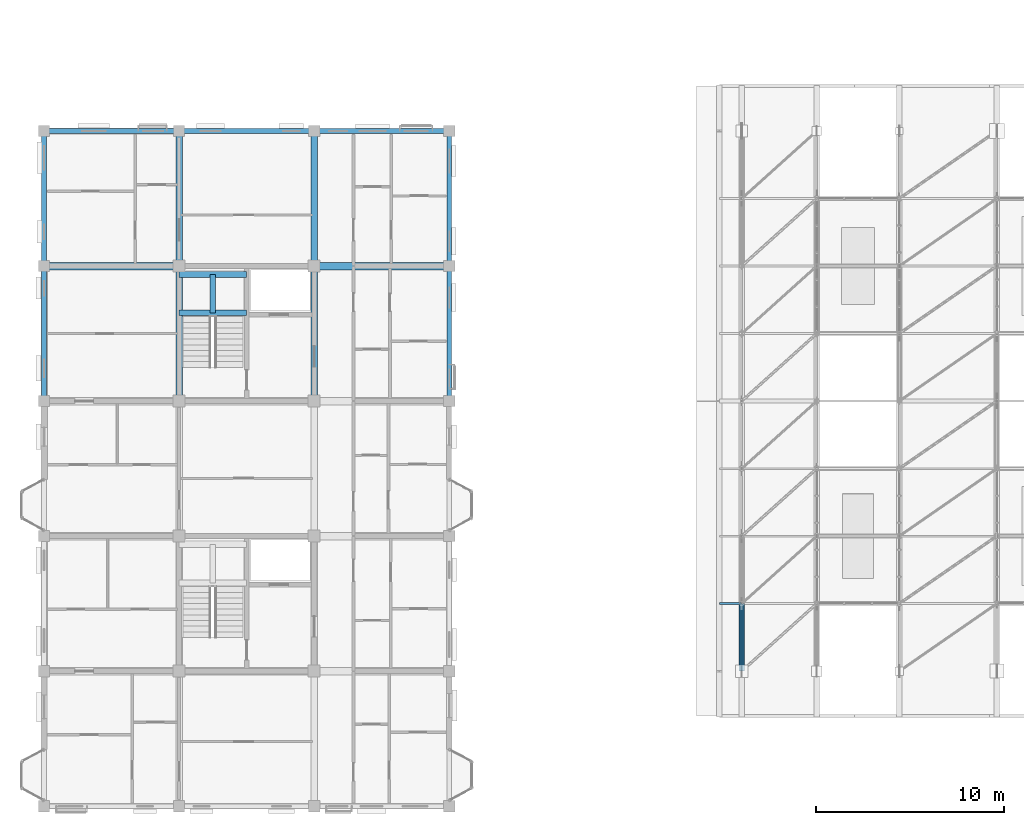
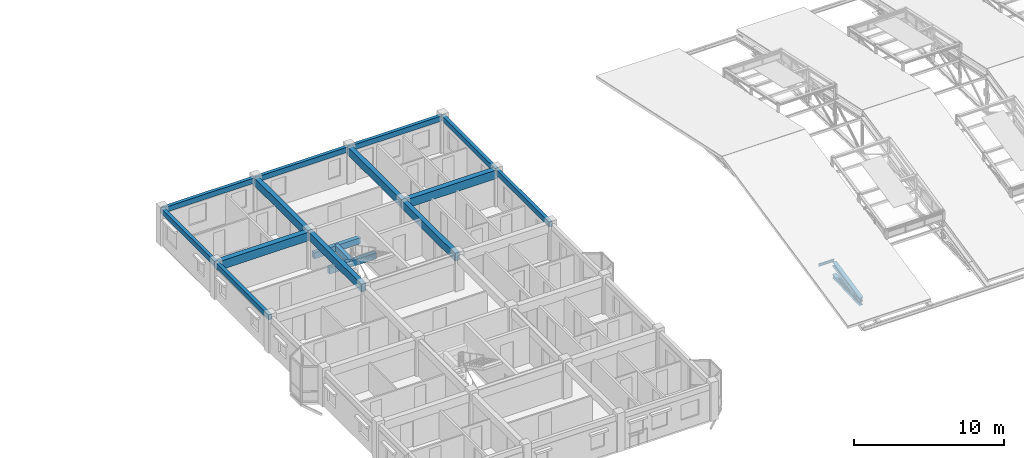
# One storey, part 32 of 124: 16 beams, 4 members.
"""IFC4 building model written with IfcOpenShell, lengths in metres."""

from ifc_helpers import new_model, si_unit, direction, frame, origin, origin_2d, place, context, subcontext, project, spatial, rectangle, hollow_circle, i_section, extrude, material, material_profile, profile_set, type_object, element, save


model = new_model("IFC4")

# Units and contexts
model_context = context("Model", 3, precision=1e-05, world=origin(), true_north=direction((0.0, 1.0)))
body_context = subcontext(model_context, "Body", "Model", "MODEL_VIEW")
ifc_project = project(units=[si_unit("LENGTHUNIT", "METRE"), si_unit("AREAUNIT", "SQUARE_METRE"), si_unit("VOLUMEUNIT", "CUBIC_METRE"), si_unit("PLANEANGLEUNIT", "RADIAN"), si_unit("MASSUNIT", "GRAM", prefix="KILO"), si_unit("THERMODYNAMICTEMPERATUREUNIT", "KELVIN"), si_unit("POWERUNIT", "WATT")], contexts=[model_context])

# Site, building, storey
site_placement = place(None, origin())
site = spatial("IfcSite", under=ifc_project, at=site_placement, CompositionType="ELEMENT")
building_placement = place(site_placement, origin())
building = spatial("IfcBuilding", under=site, at=building_placement, Name="Tavuni Mirador Residences", CompositionType="ELEMENT")
storey_placement = place(building_placement, frame((0.0, 0.0, 7.64990234375)))
storey = spatial("IfcBuildingStorey", under=building, at=storey_placement, Name="L02", CompositionType="ELEMENT", Elevation=7.64990234375)

# Beams
ifc_material_1 = material(Name="Precast concrete C40/50", Category="concrete")
ifc_material_profile_1 = material_profile(ifc_material_1, rectangle(XDim=0.300048828125, YDim=0.5, at=origin_2d()), Name="PC 300x500", Category="concrete")
ifc_profile_set_1 = profile_set([ifc_material_profile_1], Name="Precast concrete C40/50")
beam_type_1 = type_object("IfcBeamType", Name="BT-B500", PredefinedType="BEAM", material=ifc_profile_set_1)
for number, where, z_axis, x_axis, name in (
    (1, (10.800048828125, 91.10009765625, 1.14501953125), (1.0, 0.0, 0.0), (0.0, 1.0, 0.0), "HLB1-C4-L02"),
    (2, (10.800048828125, 93.14990234375, 1.14501953125), (1.0, 0.0, 0.0), (0.0, 1.0, 0.0), "HLB2-C4-L02"),
):
    element("IfcBeam", number, at=place(storey_placement, frame(where, z_axis=z_axis, x_axis=x_axis)), inside=storey, type_object=beam_type_1, Name=name, PredefinedType="BEAM", context=body_context, shape_type="SweptSolid", body=[
        extrude(rectangle(XDim=0.300048828125, YDim=0.5, at=origin_2d()), origin(), (0.0, 0.0, 1.0), 3.599853515625),
    ])
beam_1_placement = place(storey_placement, frame((12.60009765625, 91.10009765625, 1.14501953125), z_axis=(0.0, 1.0, 0.0), x_axis=(-1.0, 0.0, 0.0)))
element("IfcBeam", 3, at=beam_1_placement, inside=storey, type_object=beam_type_1, Name="HLB3-C4-L02", PredefinedType="BEAM", context=body_context, shape_type="SweptSolid", body=[
    extrude(rectangle(XDim=0.300048828125, YDim=0.5, at=origin_2d()), origin(), (0.0, 0.0, 1.0), 2.0498046875),
])
ifc_material_profile_2 = material_profile(ifc_material_1, rectangle(XDim=0.35009765625, YDim=0.64990234375, at=origin_2d()), Name="PC 350x650", Category="concrete")
ifc_profile_set_2 = profile_set([ifc_material_profile_2], Name="Precast concrete C40/50")
beam_type_2 = type_object("IfcBeamType", Name="BT-B650", PredefinedType="BEAM", material=ifc_profile_set_2)
beam_2_placement = place(storey_placement, frame((10.800048828125, 86.39990234375, 2.585205078125), z_axis=(0.0, 1.0, 0.0), x_axis=(-1.0, 0.0, 0.0)))
element("IfcBeam", 4, at=beam_2_placement, inside=storey, type_object=beam_type_2, Name="BMY-BLK-B-L02-01-03", PredefinedType="BEAM", context=body_context, shape_type="SweptSolid", body=[
    extrude(rectangle(XDim=0.35009765625, YDim=0.64990234375, at=origin_2d()), origin(), (0.0, 0.0, 1.0), 7.2001953125),
])
beam_3_placement = place(storey_placement, frame((10.800048828125, 93.60009765625, 2.585205078125), z_axis=(0.0, 1.0, 0.0), x_axis=(-1.0, 0.0, 0.0)))
element("IfcBeam", 5, at=beam_3_placement, inside=storey, type_object=beam_type_2, Name="BMY-BLK-B-L02-01-04", PredefinedType="BEAM", context=body_context, shape_type="SweptSolid", body=[
    extrude(rectangle(XDim=0.35009765625, YDim=0.64990234375, at=origin_2d()), origin(), (0.0, 0.0, 1.0), 7.199951171875),
])
beam_4_placement = place(storey_placement, frame((18.0, 86.39990234375, 2.585205078125), z_axis=(0.0, 1.0, 0.0), x_axis=(-1.0, 0.0, 0.0)))
element("IfcBeam", 6, at=beam_4_placement, inside=storey, type_object=beam_type_2, Name="BMY-BLK-B-L02-02-03", PredefinedType="BEAM", context=body_context, shape_type="SweptSolid", body=[
    extrude(rectangle(XDim=0.35009765625, YDim=0.64990234375, at=origin_2d()), origin(), (0.0, 0.0, 1.0), 7.2001953125),
])
beam_5_placement = place(storey_placement, frame((18.0, 93.60009765625, 2.585205078125), z_axis=(0.0, 1.0, 0.0), x_axis=(-1.0, 0.0, 0.0)))
element("IfcBeam", 7, at=beam_5_placement, inside=storey, type_object=beam_type_2, Name="BMY-BLK-B-L02-02-04", PredefinedType="BEAM", context=body_context, shape_type="SweptSolid", body=[
    extrude(rectangle(XDim=0.35009765625, YDim=0.64990234375, at=origin_2d()), origin(), (0.0, 0.0, 1.0), 7.199951171875),
])
ifc_material_profile_3 = material_profile(ifc_material_1, rectangle(XDim=0.39990234375, YDim=0.699951171875, at=origin_2d()), Name="PC 400x700", Category="concrete")
ifc_profile_set_3 = profile_set([ifc_material_profile_3], Name="Precast concrete C40/50")
beam_type_3 = type_object("IfcBeamType", Name="BT-B700", PredefinedType="BEAM", material=ifc_profile_set_3)
for number, where, z_axis, x_axis, name in (
    (8, (3.60009765625, 93.60009765625, 2.56005859375), (1.0, 0.0, 0.0), (0.0, 1.0, 0.0), "BMX-BLK-B-L02-00-04"),
    (9, (18.0, 93.60009765625, 2.56005859375), (1.0, 0.0, 0.0), (0.0, 1.0, 0.0), "BMX-BLK-B-L02-02-04"),
):
    element("IfcBeam", number, at=place(storey_placement, frame(where, z_axis=z_axis, x_axis=x_axis)), inside=storey, type_object=beam_type_3, Name=name, PredefinedType="BEAM", context=body_context, shape_type="SweptSolid", body=[
        extrude(rectangle(XDim=0.39990234375, YDim=0.699951171875, at=origin_2d()), origin(), (0.0, 0.0, 1.0), 7.199951171875),
    ])
ifc_material_profile_4 = material_profile(ifc_material_1, rectangle(XDim=0.25, YDim=0.419921875, at=origin_2d()), Name="PC 250x420", Category="concrete")
ifc_profile_set_4 = profile_set([ifc_material_profile_4], Name="Precast concrete C40/50")
beam_type_4 = type_object("IfcBeamType", Name="BT-SP420", PredefinedType="SPANDREL", material=ifc_profile_set_4)
for number, where, z_axis, x_axis, name in (
    (10, (3.60009765625, 100.800048828125, 2.7001953125), (1.0, 0.0, 0.0), (0.0, 1.0, 0.0), "BMX-BLK-B-L02-00-05"),
    (11, (10.800048828125, 100.800048828125, 2.7001953125), (1.0, 0.0, 0.0), (0.0, 1.0, 0.0), "BMX-BLK-B-L02-01-05"),
    (12, (18.0, 100.800048828125, 2.7001953125), (1.0, 0.0, 0.0), (0.0, 1.0, 0.0), "BMX-BLK-B-L02-02-05"),
):
    element("IfcBeam", number, at=place(storey_placement, frame(where, z_axis=z_axis, x_axis=x_axis)), inside=storey, type_object=beam_type_4, Name=name, PredefinedType="SPANDREL", context=body_context, shape_type="SweptSolid", body=[
        extrude(rectangle(XDim=0.25, YDim=0.419921875, at=origin_2d()), origin(), (0.0, 0.0, 1.0), 7.199951171875),
    ])
beam_6_placement = place(storey_placement, frame((3.60009765625, 86.39990234375, 2.7001953125), z_axis=(0.0, 1.0, 0.0), x_axis=(-1.0, 0.0, 0.0)))
element("IfcBeam", 13, at=beam_6_placement, inside=storey, type_object=beam_type_4, Name="BMY-BLK-B-L02-00-03", PredefinedType="SPANDREL", context=body_context, shape_type="SweptSolid", body=[
    extrude(rectangle(XDim=0.25, YDim=0.419921875, at=origin_2d()), origin(), (0.0, 0.0, 1.0), 7.2001953125),
])
beam_7_placement = place(storey_placement, frame((3.60009765625, 93.60009765625, 2.7001953125), z_axis=(0.0, 1.0, 0.0), x_axis=(-1.0, 0.0, 0.0)))
element("IfcBeam", 14, at=beam_7_placement, inside=storey, type_object=beam_type_4, Name="BMY-BLK-B-L02-00-04", PredefinedType="SPANDREL", context=body_context, shape_type="SweptSolid", body=[
    extrude(rectangle(XDim=0.25, YDim=0.419921875, at=origin_2d()), origin(), (0.0, 0.0, 1.0), 7.199951171875),
])
beam_8_placement = place(storey_placement, frame((25.199951171875, 86.39990234375, 2.7001953125), z_axis=(0.0, 1.0, 0.0), x_axis=(-1.0, 0.0, 0.0)))
element("IfcBeam", 15, at=beam_8_placement, inside=storey, type_object=beam_type_4, Name="BMY-BLK-B-L02-03-03", PredefinedType="SPANDREL", context=body_context, shape_type="SweptSolid", body=[
    extrude(rectangle(XDim=0.25, YDim=0.419921875, at=origin_2d()), origin(), (0.0, 0.0, 1.0), 7.2001953125),
])
beam_9_placement = place(storey_placement, frame((25.199951171875, 93.60009765625, 2.7001953125), z_axis=(0.0, 1.0, 0.0), x_axis=(-1.0, 0.0, 0.0)))
element("IfcBeam", 16, at=beam_9_placement, inside=storey, type_object=beam_type_4, Name="BMY-BLK-B-L02-03-04", PredefinedType="SPANDREL", context=body_context, shape_type="SweptSolid", body=[
    extrude(rectangle(XDim=0.25, YDim=0.419921875, at=origin_2d()), origin(), (0.0, 0.0, 1.0), 7.199951171875),
])

# Members
ifc_material_2 = material(Name="Structural steel S355", Category="steel")
ifc_material_profile_5 = material_profile(ifc_material_2, hollow_circle(Radius=0.096923828125, WallThickness=0.010009765625, at=origin_2d()), Name="CHS 193.7x10.0", Category="steel")
ifc_profile_set_5 = profile_set([ifc_material_profile_5], Name="Structural steel S355")
member_type_1 = type_object("IfcMemberType", Name="MT-BR-CHS193", PredefinedType="BRACE", material=ifc_profile_set_5)
member_1_placement = place(storey_placement, frame((40.800048828125, 72.0, -0.169921875), z_axis=(0.0, 0.998381455169, -0.05687240081), x_axis=(-1.0, 0.0, 0.0)))
element("IfcMember", 17, at=member_1_placement, inside=storey, type_object=member_type_1, Name="Roof truss TR-1 web diagonal 1", PredefinedType="BRACE", context=body_context, shape_type="SweptSolid", body=[
    extrude(hollow_circle(Radius=0.096923828125, WallThickness=0.010009765625, at=origin_2d()), origin(), (0.0, 0.0, 1.0), 3.60595703125),
])
ifc_material_profile_6 = material_profile(ifc_material_2, i_section(OverallWidth=0.300048828125, OverallDepth=0.2900390625, WebThickness=0.008544921875, FlangeThickness=0.013916015625, FilletRadius=0.027099609375, at=origin_2d()), Name="HEA 300", Category="steel")
ifc_profile_set_6 = profile_set([ifc_material_profile_6], Name="Structural steel S355")
member_type_2 = type_object("IfcMemberType", Name="MT-CH-HEA300", PredefinedType="CHORD", material=ifc_profile_set_6)
member_2_placement = place(storey_placement, frame((40.800048828125, 72.0, -0.5), z_axis=(0.0, 0.999397760821, 0.034700369832), x_axis=(-1.0, 0.0, 0.0)))
element("IfcMember", 18, at=member_2_placement, inside=storey, type_object=member_type_2, Name="Roof truss TR-1 bottom chord 1", PredefinedType="CHORD", context=body_context, shape_type="SweptSolid", body=[
    extrude(i_section(OverallWidth=0.300048828125, OverallDepth=0.2900390625, WebThickness=0.008544921875, FlangeThickness=0.013916015625, FilletRadius=0.027099609375, at=origin_2d()), origin(), (0.0, 0.0, 1.0), 3.602294921875),
])
ifc_material_profile_7 = material_profile(ifc_material_2, i_section(OverallWidth=0.300048828125, OverallDepth=0.360107421875, WebThickness=0.012451171875, FlangeThickness=0.0224609375, FilletRadius=0.027099609375, at=origin_2d()), Name="HEB 360", Category="steel")
ifc_profile_set_7 = profile_set([ifc_material_profile_7], Name="Structural steel S355")
member_type_3 = type_object("IfcMemberType", Name="MT-CH-HEB360", PredefinedType="CHORD", material=ifc_profile_set_7)
member_3_placement = place(storey_placement, frame((40.800048828125, 72.0, -0.169921875), z_axis=(0.0, 0.977609904647, 0.210425460284), x_axis=(-1.0, 0.0, 0.0)))
element("IfcMember", 19, at=member_3_placement, inside=storey, type_object=member_type_3, Name="Roof truss TR-1 top chord 1", PredefinedType="CHORD", context=body_context, shape_type="SweptSolid", body=[
    extrude(i_section(OverallWidth=0.300048828125, OverallDepth=0.360107421875, WebThickness=0.012451171875, FlangeThickness=0.0224609375, FilletRadius=0.027099609375, at=origin_2d()), origin(), (0.0, 0.0, 1.0), 3.6826171875),
])
ifc_material_profile_8 = material_profile(ifc_material_2, i_section(OverallWidth=0.10009765625, OverallDepth=0.199951171875, WebThickness=0.005615234375, FlangeThickness=0.008544921875, FilletRadius=0.011962890625, at=origin_2d()), Name="IPE 200", Category="steel")
ifc_profile_set_8 = profile_set([ifc_material_profile_8], Name="Structural steel S355")
member_type_4 = type_object("IfcMemberType", Name="MT-PR-IPE200", PredefinedType="PURLIN", material=ifc_profile_set_8)
member_4_placement = place(storey_placement, frame((39.60009765625, 75.60009765625, 0.8701171875), z_axis=(1.0, 0.0, 0.0), x_axis=(0.0, 1.0, 0.0)))
element("IfcMember", 20, at=member_4_placement, inside=storey, type_object=member_type_4, Name="HALL-PUR-00-S1-1", PredefinedType="PURLIN", context=body_context, shape_type="SweptSolid", body=[
    extrude(i_section(OverallWidth=0.10009765625, OverallDepth=0.199951171875, WebThickness=0.005615234375, FlangeThickness=0.008544921875, FilletRadius=0.011962890625, at=origin_2d()), origin(), (0.0, 0.0, 1.0), 1.199951171875),
])

save(model, "model.ifc")
